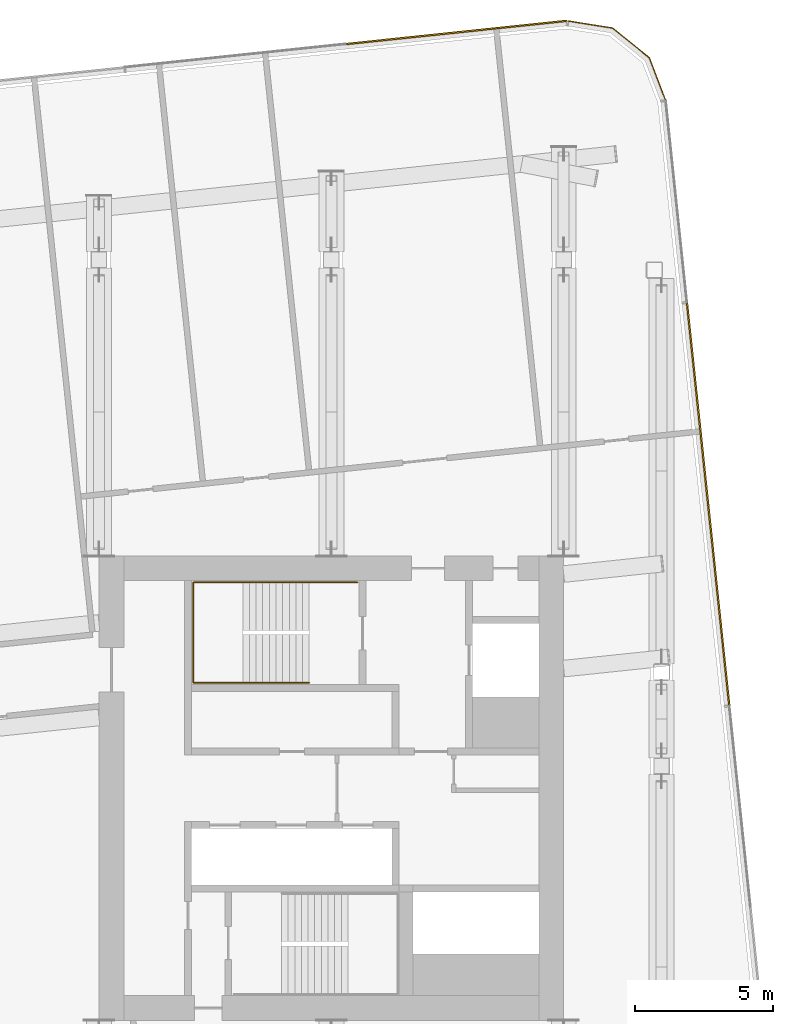
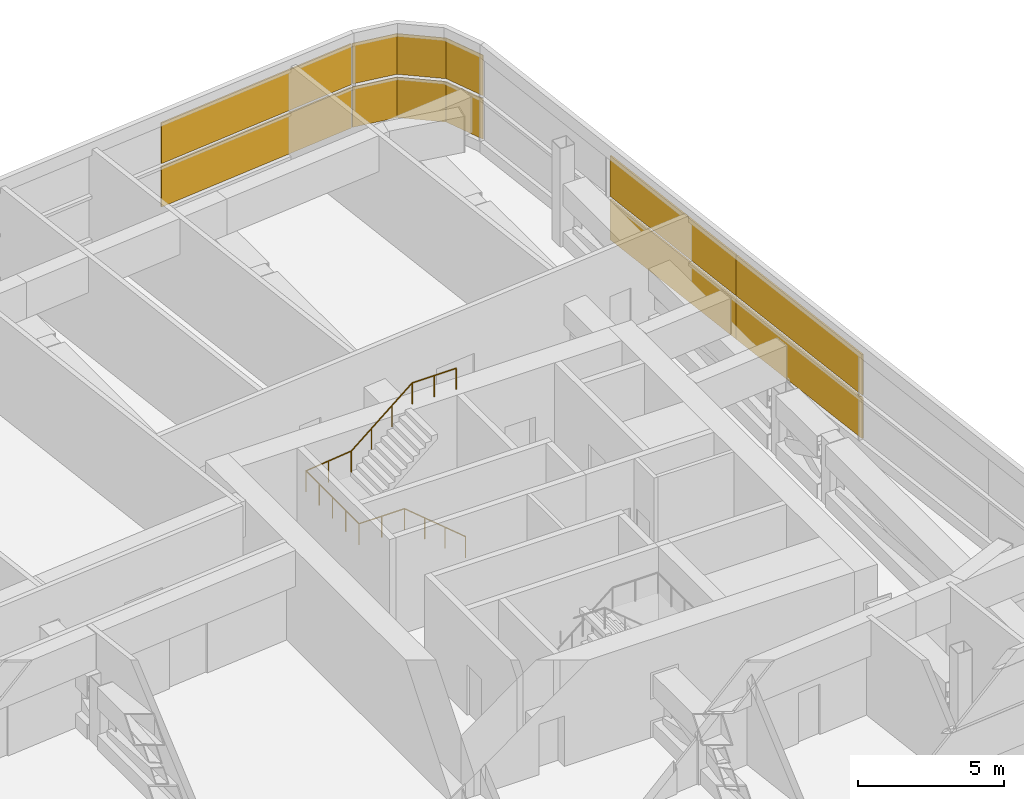
# One storey, part 33 of 33: 8 shading devices, 1 railing, 3 elements without a shape of their own.
"""IFC4 building model written with IfcOpenShell, lengths in metres."""

from ifc_helpers import new_model, si_unit, direction, frame, origin, origin_2d, place, context, subcontext, project, spatial, polyline, rectangle, circle, outline, extrude, material, layer, layer_set, type_object, element, aggregate, save


model = new_model("IFC4")

# Units and contexts
model_context = context("Model", 3, precision=1e-05, world=origin(), true_north=direction((0.0, 1.0)))
body_context = subcontext(model_context, "Body", "Model", "MODEL_VIEW")
ifc_project = project(units=[si_unit("LENGTHUNIT", "METRE"), si_unit("AREAUNIT", "SQUARE_METRE"), si_unit("VOLUMEUNIT", "CUBIC_METRE"), si_unit("PLANEANGLEUNIT", "RADIAN"), si_unit("MASSUNIT", "GRAM", prefix="KILO")], contexts=[model_context])

# Site, building, storey
site_placement = place(None, origin())
site = spatial("IfcSite", under=ifc_project, at=site_placement, CompositionType="ELEMENT")
building_placement = place(site_placement, origin())
building = spatial("IfcBuilding", under=site, at=building_placement, Name="Hakoniwa Tower and Hamabe Station Hall", CompositionType="ELEMENT")
storey_placement = place(building_placement, frame((0.0, 0.0, 228.199951171875)))
storey = spatial("IfcBuildingStorey", under=building, at=storey_placement, Name="L65", CompositionType="ELEMENT", Elevation=228.199951171875)

# Curtain wall, shading devices
ifc_material_1 = material(Name="Dark low-e laminated glass", Category="glass")
ifc_layer_1 = layer(ifc_material_1, 0.199951171875)
ifc_layer_set_1 = layer_set([ifc_layer_1], Name="CW-6 PLANT LOUVRE")
curtain_wall_type = type_object("IfcCurtainWallType", Name="CW-6 PLANT LOUVRE", PredefinedType="NOTDEFINED", material=ifc_layer_set_1)
curtain_wall_1_placement = place(storey_placement, origin())
curtain_wall_1 = element("IfcCurtainWall", 1, at=curtain_wall_1_placement, inside=storey, type_object=curtain_wall_type, Name="CW-6 curtain wall", PredefinedType="NOTDEFINED")
ifc_material_2 = material(Name="Aluminium 6063-T5 black anodised louvre", Category="aluminium")
ifc_layer_2 = layer(ifc_material_2, 0.06005859375)
ifc_layer_set_2 = layer_set([ifc_layer_2], Name="CW-6 LOUVRE UNIT")
shading_device_type = type_object("IfcShadingDeviceType", Name="CW-6 LOUVRE UNIT", PredefinedType="JALOUSIE", material=ifc_layer_set_2)
shading_device_1_placement = place(storey_placement, frame((39.204833984375, 6.62060546875, 0.35009765625), z_axis=(0.0, 0.0, 1.0), x_axis=(-0.104528461376, 0.994521895567, 0.0)))
shading_device_1 = element("IfcShadingDevice", 2, at=shading_device_1_placement, type_object=shading_device_type, Name="CW-6 louvre unit", PredefinedType="JALOUSIE", context=body_context, shape_type="SweptSolid", body=[
    extrude(rectangle(XDim=7.31201171875, YDim=0.06005859375, at=origin_2d()), origin(), (0.0, 0.0, 1.0), 1.68994140625),
])
shading_device_2_placement = place(storey_placement, frame((39.204833984375, 6.62060546875, 2.16015625), z_axis=(0.0, 0.0, 1.0), x_axis=(-0.104528461376, 0.994521895567, 0.0)))
shading_device_2 = element("IfcShadingDevice", 3, at=shading_device_2_placement, type_object=shading_device_type, Name="CW-6 louvre unit", PredefinedType="JALOUSIE", context=body_context, shape_type="SweptSolid", body=[
    extrude(rectangle(XDim=7.31201171875, YDim=0.06005859375, at=origin_2d()), origin(), (0.0, 0.0, 1.0), 1.68994140625),
])
shading_device_3_placement = place(storey_placement, frame((38.4384765625, 13.912353515625, 0.35009765625), z_axis=(0.0, 0.0, 1.0), x_axis=(-0.104528461376, 0.994521895567, 0.0)))
shading_device_3 = element("IfcShadingDevice", 4, at=shading_device_3_placement, type_object=shading_device_type, Name="CW-6 louvre unit", PredefinedType="JALOUSIE", context=body_context, shape_type="SweptSolid", body=[
    extrude(rectangle(XDim=7.31201171875, YDim=0.06005859375, at=origin_2d()), origin(), (0.0, 0.0, 1.0), 1.68994140625),
])
shading_device_4_placement = place(storey_placement, frame((38.4384765625, 13.912353515625, 2.16015625), z_axis=(0.0, 0.0, 1.0), x_axis=(-0.104528461376, 0.994521895567, 0.0)))
shading_device_4 = element("IfcShadingDevice", 5, at=shading_device_4_placement, type_object=shading_device_type, Name="CW-6 louvre unit", PredefinedType="JALOUSIE", context=body_context, shape_type="SweptSolid", body=[
    extrude(rectangle(XDim=7.31201171875, YDim=0.06005859375, at=origin_2d()), origin(), (0.0, 0.0, 1.0), 1.68994140625),
])
aggregate(curtain_wall_1, [shading_device_1, shading_device_2, shading_device_3, shading_device_4])

curtain_wall_2_placement = place(storey_placement, origin())
curtain_wall_2 = element("IfcCurtainWall", 6, at=curtain_wall_2_placement, inside=storey, type_object=curtain_wall_type, Name="CW-6 curtain wall", PredefinedType="NOTDEFINED")
shading_device_5_placement = place(storey_placement, frame((0.0, 0.0, 0.35009765625)))
shading_device_5 = element("IfcShadingDevice", 7, at=shading_device_5_placement, type_object=shading_device_type, Name="CW-6 curved corner unit", PredefinedType="JALOUSIE", context=body_context, shape_type="SweptSolid", body=[
    extrude(outline(polyline([(37.288330078125, 24.888916015625), (36.703125, 26.4130859375), (35.371337890625, 27.49169921875), (33.7587890625, 27.7470703125), (33.75439453125, 27.719482421875), (35.359619140625, 27.465087890625), (36.6796875, 26.396240234375), (37.26220703125, 24.87890625), (37.288330078125, 24.888916015625)])), origin(), (0.0, 0.0, 1.0), 1.68994140625),
])
shading_device_6_placement = place(storey_placement, frame((0.0, 0.0, 2.16015625)))
shading_device_6 = element("IfcShadingDevice", 8, at=shading_device_6_placement, type_object=shading_device_type, Name="CW-6 curved corner unit", PredefinedType="JALOUSIE", context=body_context, shape_type="SweptSolid", body=[
    extrude(outline(polyline([(37.288330078125, 24.888916015625), (36.703125, 26.4130859375), (35.371337890625, 27.49169921875), (33.7587890625, 27.7470703125), (33.75439453125, 27.719482421875), (35.359619140625, 27.465087890625), (36.6796875, 26.396240234375), (37.26220703125, 24.87890625), (37.288330078125, 24.888916015625)])), origin(), (0.0, 0.0, 1.0), 1.68994140625),
])
aggregate(curtain_wall_2, [shading_device_5, shading_device_6])

curtain_wall_3_placement = place(storey_placement, origin())
curtain_wall_3 = element("IfcCurtainWall", 9, at=curtain_wall_3_placement, inside=storey, type_object=curtain_wall_type, Name="CW-6 curtain wall", PredefinedType="NOTDEFINED")
shading_device_7_placement = place(storey_placement, frame((29.723388671875, 27.3193359375, 0.35009765625), z_axis=(0.0, 0.0, 1.0), x_axis=(-0.994521895328, -0.10452846365, 0.0)))
shading_device_7 = element("IfcShadingDevice", 10, at=shading_device_7_placement, type_object=shading_device_type, Name="CW-6 louvre unit", PredefinedType="JALOUSIE", context=body_context, shape_type="SweptSolid", body=[
    extrude(rectangle(XDim=8.018798828125, YDim=0.06005859375, at=origin_2d()), origin(), (0.0, 0.0, 1.0), 1.68994140625),
])
shading_device_8_placement = place(storey_placement, frame((29.723388671875, 27.3193359375, 2.16015625), z_axis=(0.0, 0.0, 1.0), x_axis=(-0.994521895328, -0.10452846365, 0.0)))
shading_device_8 = element("IfcShadingDevice", 11, at=shading_device_8_placement, type_object=shading_device_type, Name="CW-6 louvre unit", PredefinedType="JALOUSIE", context=body_context, shape_type="SweptSolid", body=[
    extrude(rectangle(XDim=8.018798828125, YDim=0.06005859375, at=origin_2d()), origin(), (0.0, 0.0, 1.0), 1.68994140625),
])
aggregate(curtain_wall_3, [shading_device_7, shading_device_8])

# Railing
ifc_material_3 = material(Name="Stainless steel SUS304", Category="steel")
railing_type = type_object("IfcRailingType", Name="STAIR HANDRAIL 900", PredefinedType="HANDRAIL", material=ifc_material_3)
railing_placement = place(storey_placement, frame((24.39990234375, 3.81005859375, 0.199951171875)))
element("IfcRailing", 12, at=railing_placement, inside=storey, type_object=railing_type, Name="Handrail ST-3 L65 1", PredefinedType="HANDRAIL", context=body_context, shape_type="SweptSolid", body=[
    extrude(circle(Radius=0.02392578125, at=origin_2d()), frame((0.0, 0.0, 0.8759765625), z_axis=(-0.768208468069, 0.0, 0.640199773186), x_axis=(0.0, -1.0, 0.0)), (0.0, 0.0, 1.0), 3.1240234375),
    extrude(circle(Radius=0.02392578125, at=origin_2d()), frame((-2.39990234375, 0.0, 2.8759765625), z_axis=(-1.0, 0.0, 0.0), x_axis=(0.0, -1.0, 0.0)), (0.0, 0.0, 1.0), 1.7900390625),
    extrude(circle(Radius=0.02392578125, at=origin_2d()), frame((-4.18994140625, 0.0, 2.8759765625), z_axis=(0.0, 1.0, 0.0), x_axis=(-1.0, 0.0, 0.0)), (0.0, 0.0, 1.0), 3.6298828125),
    extrude(circle(Radius=0.02392578125, at=origin_2d()), frame((-4.18994140625, 3.6298828125, 2.8759765625), z_axis=(0.993804135676, 0.0, 0.111145579822), x_axis=(0.0, 1.0, 0.0)), (0.0, 0.0, 1.0), 1.80126953125),
    extrude(circle(Radius=0.02392578125, at=origin_2d()), frame((-2.39990234375, 3.6298828125, 3.076171875), z_axis=(0.768208468069, 0.0, 0.640199773186), x_axis=(0.0, 1.0, 0.0)), (0.0, 0.0, 1.0), 3.1240234375),
    extrude(circle(Radius=0.02392578125, at=origin_2d()), frame((0.0, 3.6298828125, 5.076171875), z_axis=(1.0, 0.0, 0.0), x_axis=(0.0, 1.0, 0.0)), (0.0, 0.0, 1.0), 1.739990234375),
    extrude(circle(Radius=0.02099609375, at=origin_2d()), origin(), (0.0, 0.0, 1.0), 0.851806640625),
    extrude(circle(Radius=0.02099609375, at=origin_2d()), frame((-0.800048828125, 0.0, 0.666748046875)), (0.0, 0.0, 1.0), 0.851806640625),
    extrude(circle(Radius=0.02099609375, at=origin_2d()), frame((-1.599853515625, 0.0, 1.333251953125)), (0.0, 0.0, 1.0), 0.851806640625),
    extrude(circle(Radius=0.02099609375, at=origin_2d()), frame((-2.39990234375, 0.0, 2.0)), (0.0, 0.0, 1.0), 0.851806640625),
    extrude(circle(Radius=0.02099609375, at=origin_2d()), frame((-3.294921875, 0.0, 2.0)), (0.0, 0.0, 1.0), 0.851806640625),
    extrude(circle(Radius=0.02099609375, at=origin_2d()), frame((-4.18994140625, 0.0, 2.0)), (0.0, 0.0, 1.0), 0.851806640625),
    extrude(circle(Radius=0.02099609375, at=origin_2d()), frame((-4.18994140625, 0.907470703125, 2.0)), (0.0, 0.0, 1.0), 0.851806640625),
    extrude(circle(Radius=0.02099609375, at=origin_2d()), frame((-4.18994140625, 1.81494140625, 2.0)), (0.0, 0.0, 1.0), 0.851806640625),
    extrude(circle(Radius=0.02099609375, at=origin_2d()), frame((-4.18994140625, 2.722412109375, 2.0)), (0.0, 0.0, 1.0), 0.851806640625),
    extrude(circle(Radius=0.02099609375, at=origin_2d()), frame((-4.18994140625, 3.6298828125, 2.0)), (0.0, 0.0, 1.0), 0.851806640625),
    extrude(circle(Radius=0.02099609375, at=origin_2d()), frame((-3.294921875, 3.6298828125, 2.10009765625)), (0.0, 0.0, 1.0), 0.851806640625),
    extrude(circle(Radius=0.02099609375, at=origin_2d()), frame((-2.39990234375, 3.6298828125, 2.2001953125)), (0.0, 0.0, 1.0), 0.851806640625),
    extrude(circle(Radius=0.02099609375, at=origin_2d()), frame((-1.599853515625, 3.6298828125, 2.866943359375)), (0.0, 0.0, 1.0), 0.851806640625),
    extrude(circle(Radius=0.02099609375, at=origin_2d()), frame((-0.800048828125, 3.6298828125, 3.533447265625)), (0.0, 0.0, 1.0), 0.851806640625),
    extrude(circle(Radius=0.02099609375, at=origin_2d()), frame((0.0, 3.6298828125, 4.2001953125)), (0.0, 0.0, 1.0), 0.851806640625),
    extrude(circle(Radius=0.02099609375, at=origin_2d()), frame((0.8701171875, 3.6298828125, 4.2001953125)), (0.0, 0.0, 1.0), 0.851806640625),
    extrude(circle(Radius=0.02099609375, at=origin_2d()), frame((1.739990234375, 3.6298828125, 4.2001953125)), (0.0, 0.0, 1.0), 0.851806640625),
])

save(model, "model.ifc")
